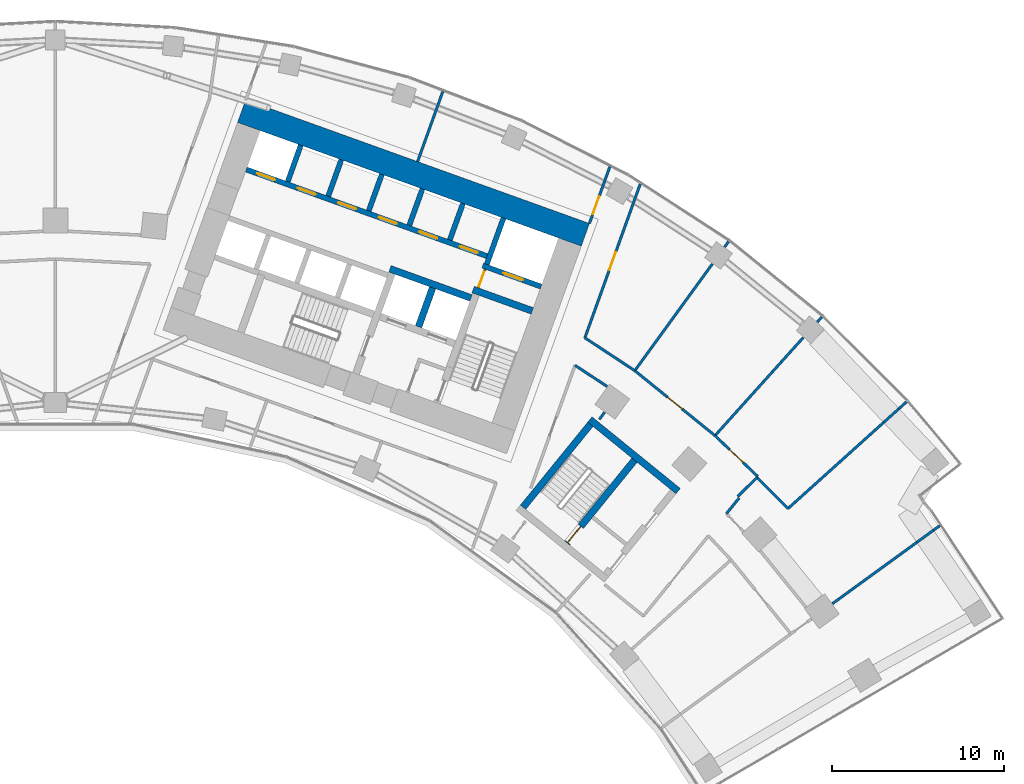
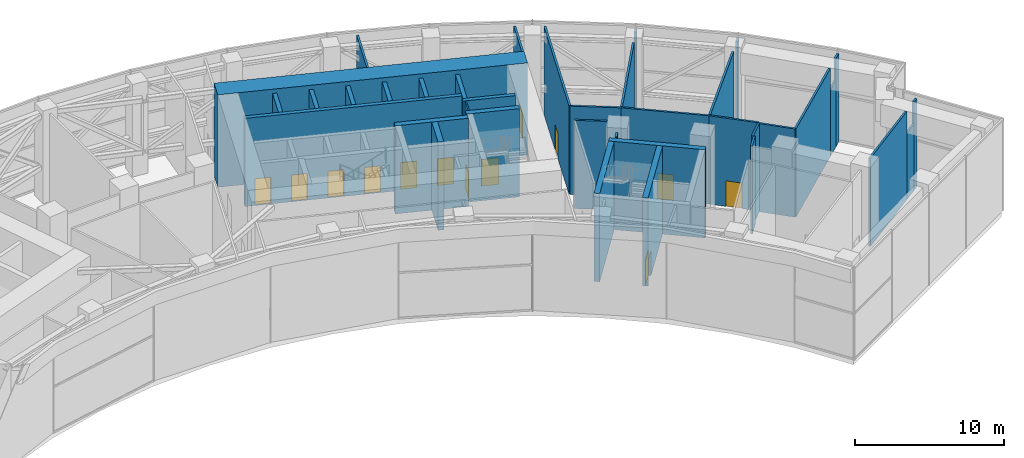
# One storey, part 26 of 30: 37 walls, 13 doors, 13 openings.
"""IFC4 building model written with IfcOpenShell, lengths in metres."""

from ifc_helpers import new_model, si_unit, direction, frame, frame_2d, origin, place, context, subcontext, project, spatial, rectangle, extrude, material, layer, layer_set, type_object, element, fill, save


model = new_model("IFC4")

# Units and contexts
model_context = context("Model", 3, precision=1e-05, world=origin(), true_north=direction((0.0, 1.0)))
body_context = subcontext(model_context, "Body", "Model", "MODEL_VIEW")
ifc_project = project(units=[si_unit("LENGTHUNIT", "METRE"), si_unit("AREAUNIT", "SQUARE_METRE"), si_unit("VOLUMEUNIT", "CUBIC_METRE"), si_unit("PLANEANGLEUNIT", "RADIAN"), si_unit("MASSUNIT", "GRAM", prefix="KILO")], contexts=[model_context])

# Site, building, storey
site_placement = place(None, origin())
site = spatial("IfcSite", under=ifc_project, at=site_placement, CompositionType="ELEMENT")
building_placement = place(site_placement, origin())
building = spatial("IfcBuilding", under=site, at=building_placement, Name="Stone Belt Terrace Tower", CompositionType="ELEMENT")
storey_placement = place(building_placement, frame((0.0, 0.0, 136.39990234375)))
storey = spatial("IfcBuildingStorey", under=building, at=storey_placement, Name="L33", CompositionType="ELEMENT", Elevation=136.39990234375)

# Wall, opening, door
ifc_material_1 = material(Name="Plasterboard partition")
ifc_layer_1 = layer(ifc_material_1, 0.10009765625)
ifc_layer_set_1 = layer_set([ifc_layer_1], Name="Core partition 100")
wall_type_1 = type_object("IfcWallType", Name="Core partition 100", PredefinedType="PARTITIONING", material=ifc_layer_set_1)
wall_1_placement = place(storey_placement, frame((24.555908203125, 51.10400390625, 0.0), z_axis=(0.0, 0.0, 1.0), x_axis=(0.338621735342, 0.94092258999, 0.0)))
wall_1 = element("IfcWall", 1, at=wall_1_placement, inside=storey, type_object=wall_type_1, Name="Core B wall", PredefinedType="PARTITIONING", context=body_context, shape_type="SweptSolid", body=[
    extrude(rectangle(XDim=1.14990234375, YDim=0.10009765625, at=frame_2d((0.574951171875, 0.0))), origin(), (0.0, 0.0, 1.0), 7.25),
])
opening_1_placement = place(wall_1_placement, frame((0.050048828125, 0.0, 0.0)))
opening_1 = element("IfcOpeningElement", 2, at=opening_1_placement, cuts=wall_1, Name="Opening L33-C09", PredefinedType="OPENING", context=body_context, shape_type="SweptSolid", body=[
    extrude(rectangle(XDim=1.0, YDim=2.10009765625, at=frame_2d((0.5, 1.050048828125))), frame((0.0, 0.06005859375, 0.0), z_axis=(0.0, -1.0, 0.0), x_axis=(1.0, 0.0, 0.0)), (0.0, 0.0, 1.0), 0.1201171875),
])
ifc_material_2 = material(Name="Timber door leaf", Category="wood")
door_type_1 = type_object("IfcDoorType", Name="Core room door 1000", OperationType="SINGLE_SWING_LEFT", PredefinedType="DOOR", material=ifc_material_2)
door_1_placement = place(opening_1_placement, origin())
door_1 = element("IfcDoor", 3, at=door_1_placement, inside=storey, type_object=door_type_1, Name="Service lift lobby door core B", OperationType="SINGLE_SWING_RIGHT", OverallHeight=2.10009765625, OverallWidth=1.0, PredefinedType="DOOR", context=body_context, shape_type="SweptSolid", body=[
    extrude(rectangle(XDim=1.0, YDim=2.10009765625, at=frame_2d((0.5, 1.050048828125))), frame((0.0, 0.02490234375, 0.0), z_axis=(0.0, -1.0, 0.0), x_axis=(1.0, 0.0, 0.0)), (0.0, 0.0, 1.0), 0.050048828125),
])
fill(opening_1, door_1)

# Walls
ifc_material_3 = material(Name="Concrete B80", Category="concrete")
ifc_layer_2 = layer(ifc_material_3, 1.39990234375)
ifc_layer_set_2 = layer_set([ifc_layer_2], Name="Core wall 1400 B80")
wall_type_2 = type_object("IfcWallType", Name="Core wall 1400 B80", PredefinedType="SHEAR", material=ifc_layer_set_2)
wall_2_placement = place(storey_placement, frame((10.81787109375, 61.362060546875, 0.0), z_axis=(0.0, 0.0, 1.0), x_axis=(0.940919704758, -0.338629752382, 0.0)))
element("IfcWall", 4, at=wall_2_placement, inside=storey, type_object=wall_type_2, Name="Core B wall convex L33", PredefinedType="SHEAR", context=body_context, shape_type="SweptSolid", body=[
    extrude(rectangle(XDim=21.199951171875, YDim=1.39990234375, at=frame_2d((10.60009765625, 0.0))), origin(), (0.0, 0.0, 1.0), 7.60009765625),
])
ifc_layer_3 = layer(ifc_material_3, 0.39990234375)
ifc_layer_set_3 = layer_set([ifc_layer_3], Name="Fire-fighting lift shaft wall 400")
wall_type_3 = type_object("IfcWallType", Name="Fire-fighting lift shaft wall 400", PredefinedType="SHEAR", material=ifc_layer_set_3)
wall_3_placement = place(storey_placement, frame((24.130615234375, 50.512939453125, 0.0), z_axis=(0.0, 0.0, 1.0), x_axis=(-0.94091168377, 0.338652038744, 0.0)))
element("IfcWall", 5, at=wall_3_placement, inside=storey, type_object=wall_type_3, Name="Core B wall", PredefinedType="SHEAR", context=body_context, shape_type="SweptSolid", body=[
    extrude(rectangle(XDim=5.000244140625, YDim=0.39990234375, at=frame_2d((2.5, 0.0))), origin(), (0.0, 0.0, 1.0), 7.25),
])
wall_4_placement = place(storey_placement, frame((21.0859375, 48.845458984375, 0.0), z_axis=(0.0, 0.0, 1.0), x_axis=(0.338629416206, 0.940919825745, 0.0)))
element("IfcWall", 6, at=wall_4_placement, inside=storey, type_object=wall_type_3, Name="Core B wall", PredefinedType="SHEAR", context=body_context, shape_type="SweptSolid", body=[
    extrude(rectangle(XDim=2.400146484375, YDim=0.39990234375, at=frame_2d((1.2001953125, 0.0))), origin(), (0.0, 0.0, 1.0), 7.25),
])

# Wall, opening, door
ifc_layer_4 = layer(ifc_material_3, 0.300048828125)
ifc_layer_set_4 = layer_set([ifc_layer_4], Name="Lift shaft wall 300")
wall_type_4 = type_object("IfcWallType", Name="Lift shaft wall 300", PredefinedType="SHEAR", material=ifc_layer_set_4)
wall_5_placement = place(storey_placement, frame((28.195068359375, 51.17578125, 0.0), z_axis=(0.0, 0.0, 1.0), x_axis=(-0.940901243567, 0.338681044427, 0.0)))
wall_5 = element("IfcWall", 7, at=wall_5_placement, inside=storey, type_object=wall_type_4, Name="Core B wall", PredefinedType="SHEAR", context=body_context, shape_type="SweptSolid", body=[
    extrude(rectangle(XDim=3.599853515625, YDim=0.300048828125, at=frame_2d((1.7998046875, 0.0))), origin(), (0.0, 0.0, 1.0), 7.25),
])
opening_2_placement = place(wall_5_placement, frame((1.1201171875, 0.0, 0.0)))
opening_2 = element("IfcOpeningElement", 8, at=opening_2_placement, cuts=wall_5, Name="Opening L33-LD18", PredefinedType="OPENING", context=body_context, shape_type="SweptSolid", body=[
    extrude(rectangle(XDim=1.199951171875, YDim=2.199951171875, at=frame_2d((0.60009765625, 1.10009765625))), frame((0.0, 0.159912109375, 0.0), z_axis=(0.0, -1.0, 0.0), x_axis=(1.0, 0.0, 0.0)), (0.0, 0.0, 1.0), 0.320068359375),
])
ifc_material_4 = material(Name="Stainless steel door leaf", Category="steel")
door_type_2 = type_object("IfcDoorType", Name="Landing door 1200", OperationType="SLIDING_TO_LEFT", PredefinedType="DOOR", material=ifc_material_4)
door_2_placement = place(opening_2_placement, origin())
door_2 = element("IfcDoor", 9, at=door_2_placement, inside=storey, type_object=door_type_2, Name="Landing door SV1 core B", OperationType="SLIDING_TO_LEFT", OverallHeight=2.199951171875, OverallWidth=1.199951171875, PredefinedType="DOOR", context=body_context, shape_type="SweptSolid", body=[
    extrude(rectangle(XDim=1.199951171875, YDim=2.199951171875, at=frame_2d((0.60009765625, 1.10009765625))), frame((0.0, 0.02490234375, 0.0), z_axis=(0.0, -1.0, 0.0), x_axis=(1.0, 0.0, 0.0)), (0.0, 0.0, 1.0), 0.050048828125),
])
fill(opening_2, door_2)

# Wall
wall_6_placement = place(storey_placement, frame((25.046875, 52.46826171875, 0.0), z_axis=(0.0, 0.0, 1.0), x_axis=(0.338549588058, 0.940948551423, 0.0)))
element("IfcWall", 10, at=wall_6_placement, inside=storey, type_object=wall_type_4, Name="Core B wall", PredefinedType="SHEAR", context=body_context, shape_type="SweptSolid", body=[
    extrude(rectangle(XDim=2.849853515625, YDim=0.300048828125, at=frame_2d((1.4248046875, 0.0))), origin(), (0.0, 0.0, 1.0), 7.25),
])

# Wall, openings, doors
wall_7_placement = place(storey_placement, frame((25.05810546875, 52.9423828125, 0.0), z_axis=(0.0, 0.0, 1.0), x_axis=(-0.940918215764, 0.338633889685, 0.0)))
wall_7 = element("IfcWall", 11, at=wall_7_placement, inside=storey, type_object=wall_type_4, Name="Core B wall", PredefinedType="SHEAR", context=body_context, shape_type="SweptSolid", body=[
    extrude(rectangle(XDim=14.850341796875, YDim=0.300048828125, at=frame_2d((7.42529296875, 0.0))), origin(), (0.0, 0.0, 1.0), 7.25),
])
opening_3_placement = place(wall_7_placement, frame((0.570068359375, 0.0, 0.0)))
opening_3 = element("IfcOpeningElement", 12, at=opening_3_placement, cuts=wall_7, Name="Opening L33-LD10", PredefinedType="OPENING", context=body_context, shape_type="SweptSolid", body=[
    extrude(rectangle(XDim=1.10009765625, YDim=2.199951171875, at=frame_2d((0.550048828125, 1.10009765625))), frame((0.0, 0.159912109375, 0.0), z_axis=(0.0, -1.0, 0.0), x_axis=(1.0, 0.0, 0.0)), (0.0, 0.0, 1.0), 0.320068359375),
])
opening_4_placement = place(wall_7_placement, frame((3.070068359375, 0.0, 0.0)))
opening_4 = element("IfcOpeningElement", 13, at=opening_4_placement, cuts=wall_7, Name="Opening L33-LD11", PredefinedType="OPENING", context=body_context, shape_type="SweptSolid", body=[
    extrude(rectangle(XDim=1.10009765625, YDim=2.199951171875, at=frame_2d((0.550048828125, 1.10009765625))), frame((0.0, 0.159912109375, 0.0), z_axis=(0.0, -1.0, 0.0), x_axis=(1.0, 0.0, 0.0)), (0.0, 0.0, 1.0), 0.320068359375),
])
opening_5_placement = place(wall_7_placement, frame((5.570068359375, 0.0, 0.0)))
opening_5 = element("IfcOpeningElement", 14, at=opening_5_placement, cuts=wall_7, Name="Opening L33-LD12", PredefinedType="OPENING", context=body_context, shape_type="SweptSolid", body=[
    extrude(rectangle(XDim=1.10009765625, YDim=2.199951171875, at=frame_2d((0.550048828125, 1.10009765625))), frame((0.0, 0.159912109375, 0.0), z_axis=(0.0, -1.0, 0.0), x_axis=(1.0, 0.0, 0.0)), (0.0, 0.0, 1.0), 0.320068359375),
])
opening_6_placement = place(wall_7_placement, frame((8.070068359375, 0.0, 0.0)))
opening_6 = element("IfcOpeningElement", 15, at=opening_6_placement, cuts=wall_7, Name="Opening L33-LD13", PredefinedType="OPENING", context=body_context, shape_type="SweptSolid", body=[
    extrude(rectangle(XDim=1.10009765625, YDim=2.199951171875, at=frame_2d((0.550048828125, 1.10009765625))), frame((0.0, 0.159912109375, 0.0), z_axis=(0.0, -1.0, 0.0), x_axis=(1.0, 0.0, 0.0)), (0.0, 0.0, 1.0), 0.320068359375),
])
opening_7_placement = place(wall_7_placement, frame((10.570068359375, 0.0, 0.0)))
opening_7 = element("IfcOpeningElement", 16, at=opening_7_placement, cuts=wall_7, Name="Opening L33-LD14", PredefinedType="OPENING", context=body_context, shape_type="SweptSolid", body=[
    extrude(rectangle(XDim=1.10009765625, YDim=2.199951171875, at=frame_2d((0.550048828125, 1.10009765625))), frame((0.0, 0.159912109375, 0.0), z_axis=(0.0, -1.0, 0.0), x_axis=(1.0, 0.0, 0.0)), (0.0, 0.0, 1.0), 0.320068359375),
])
opening_8_placement = place(wall_7_placement, frame((13.070068359375, 0.0, 0.0)))
opening_8 = element("IfcOpeningElement", 17, at=opening_8_placement, cuts=wall_7, Name="Opening L33-LD15", PredefinedType="OPENING", context=body_context, shape_type="SweptSolid", body=[
    extrude(rectangle(XDim=1.10009765625, YDim=2.199951171875, at=frame_2d((0.550048828125, 1.10009765625))), frame((0.0, 0.159912109375, 0.0), z_axis=(0.0, -1.0, 0.0), x_axis=(1.0, 0.0, 0.0)), (0.0, 0.0, 1.0), 0.320068359375),
])
door_type_3 = type_object("IfcDoorType", Name="Landing door 1100", OperationType="SLIDING_TO_LEFT", PredefinedType="DOOR", material=ifc_material_4)
door_3_placement = place(opening_3_placement, origin())
door_3 = element("IfcDoor", 18, at=door_3_placement, inside=storey, type_object=door_type_3, Name="Landing door LR1 core B", OperationType="SLIDING_TO_LEFT", OverallHeight=2.199951171875, OverallWidth=1.10009765625, PredefinedType="DOOR", context=body_context, shape_type="SweptSolid", body=[
    extrude(rectangle(XDim=1.10009765625, YDim=2.199951171875, at=frame_2d((0.550048828125, 1.10009765625))), frame((0.0, 0.02490234375, 0.0), z_axis=(0.0, -1.0, 0.0), x_axis=(1.0, 0.0, 0.0)), (0.0, 0.0, 1.0), 0.050048828125),
])
fill(opening_3, door_3)
door_4_placement = place(opening_4_placement, origin())
door_4 = element("IfcDoor", 19, at=door_4_placement, inside=storey, type_object=door_type_3, Name="Landing door LR2 core B", OperationType="SLIDING_TO_LEFT", OverallHeight=2.199951171875, OverallWidth=1.10009765625, PredefinedType="DOOR", context=body_context, shape_type="SweptSolid", body=[
    extrude(rectangle(XDim=1.10009765625, YDim=2.199951171875, at=frame_2d((0.550048828125, 1.10009765625))), frame((0.0, 0.02490234375, 0.0), z_axis=(0.0, -1.0, 0.0), x_axis=(1.0, 0.0, 0.0)), (0.0, 0.0, 1.0), 0.050048828125),
])
fill(opening_4, door_4)
door_5_placement = place(opening_5_placement, origin())
door_5 = element("IfcDoor", 20, at=door_5_placement, inside=storey, type_object=door_type_3, Name="Landing door LR3 core B", OperationType="SLIDING_TO_LEFT", OverallHeight=2.199951171875, OverallWidth=1.10009765625, PredefinedType="DOOR", context=body_context, shape_type="SweptSolid", body=[
    extrude(rectangle(XDim=1.10009765625, YDim=2.199951171875, at=frame_2d((0.550048828125, 1.10009765625))), frame((0.0, 0.02490234375, 0.0), z_axis=(0.0, -1.0, 0.0), x_axis=(1.0, 0.0, 0.0)), (0.0, 0.0, 1.0), 0.050048828125),
])
fill(opening_5, door_5)
door_6_placement = place(opening_6_placement, origin())
door_6 = element("IfcDoor", 21, at=door_6_placement, inside=storey, type_object=door_type_3, Name="Landing door LR4 core B", OperationType="SLIDING_TO_LEFT", OverallHeight=2.199951171875, OverallWidth=1.10009765625, PredefinedType="DOOR", context=body_context, shape_type="SweptSolid", body=[
    extrude(rectangle(XDim=1.10009765625, YDim=2.199951171875, at=frame_2d((0.550048828125, 1.10009765625))), frame((0.0, 0.02490234375, 0.0), z_axis=(0.0, -1.0, 0.0), x_axis=(1.0, 0.0, 0.0)), (0.0, 0.0, 1.0), 0.050048828125),
])
fill(opening_6, door_6)
door_7_placement = place(opening_7_placement, origin())
door_7 = element("IfcDoor", 22, at=door_7_placement, inside=storey, type_object=door_type_3, Name="Landing door LR5 core B", OperationType="SLIDING_TO_LEFT", OverallHeight=2.199951171875, OverallWidth=1.10009765625, PredefinedType="DOOR", context=body_context, shape_type="SweptSolid", body=[
    extrude(rectangle(XDim=1.10009765625, YDim=2.199951171875, at=frame_2d((0.550048828125, 1.10009765625))), frame((0.0, 0.02490234375, 0.0), z_axis=(0.0, -1.0, 0.0), x_axis=(1.0, 0.0, 0.0)), (0.0, 0.0, 1.0), 0.050048828125),
])
fill(opening_7, door_7)
door_8_placement = place(opening_8_placement, origin())
door_8 = element("IfcDoor", 23, at=door_8_placement, inside=storey, type_object=door_type_3, Name="Landing door LR6 core B", OperationType="SLIDING_TO_LEFT", OverallHeight=2.199951171875, OverallWidth=1.10009765625, PredefinedType="DOOR", context=body_context, shape_type="SweptSolid", body=[
    extrude(rectangle(XDim=1.10009765625, YDim=2.199951171875, at=frame_2d((0.550048828125, 1.10009765625))), frame((0.0, 0.02490234375, 0.0), z_axis=(0.0, -1.0, 0.0), x_axis=(1.0, 0.0, 0.0)), (0.0, 0.0, 1.0), 0.050048828125),
])
fill(opening_8, door_8)

# Walls
wall_8_placement = place(storey_placement, frame((22.897705078125, 53.87939453125, 0.0), z_axis=(0.0, 0.0, 1.0), x_axis=(0.338535034312, 0.940953787677, 0.0)))
element("IfcWall", 24, at=wall_8_placement, inside=storey, type_object=wall_type_4, Name="Core B wall", PredefinedType="SHEAR", context=body_context, shape_type="SweptSolid", body=[
    extrude(rectangle(XDim=2.25, YDim=0.300048828125, at=frame_2d((1.125, 0.0))), origin(), (0.0, 0.0, 1.0), 7.25),
])
wall_9_placement = place(storey_placement, frame((20.54541015625, 54.72607421875, 0.0), z_axis=(0.0, 0.0, 1.0), x_axis=(0.338569601369, 0.940941350472, 0.0)))
element("IfcWall", 25, at=wall_9_placement, inside=storey, type_object=wall_type_4, Name="Core B wall", PredefinedType="SHEAR", context=body_context, shape_type="SweptSolid", body=[
    extrude(rectangle(XDim=2.249755859375, YDim=0.300048828125, at=frame_2d((1.125, 0.0))), origin(), (0.0, 0.0, 1.0), 7.25),
])
wall_10_placement = place(storey_placement, frame((18.193115234375, 55.572509765625, 0.0), z_axis=(0.0, 0.0, 1.0), x_axis=(0.338535034312, 0.940953787677, 0.0)))
element("IfcWall", 26, at=wall_10_placement, inside=storey, type_object=wall_type_4, Name="Core B wall", PredefinedType="SHEAR", context=body_context, shape_type="SweptSolid", body=[
    extrude(rectangle(XDim=2.25, YDim=0.300048828125, at=frame_2d((1.125, 0.0))), origin(), (0.0, 0.0, 1.0), 7.25),
])
wall_11_placement = place(storey_placement, frame((15.8408203125, 56.419189453125, 0.0), z_axis=(0.0, 0.0, 1.0), x_axis=(0.338569601369, 0.940941350472, 0.0)))
element("IfcWall", 27, at=wall_11_placement, inside=storey, type_object=wall_type_4, Name="Core B wall", PredefinedType="SHEAR", context=body_context, shape_type="SweptSolid", body=[
    extrude(rectangle(XDim=2.249755859375, YDim=0.300048828125, at=frame_2d((1.125, 0.0))), origin(), (0.0, 0.0, 1.0), 7.25),
])
wall_12_placement = place(storey_placement, frame((13.48828125, 57.265625, 0.0), z_axis=(0.0, 0.0, 1.0), x_axis=(0.338631098537, 0.940919220286, 0.0)))
element("IfcWall", 28, at=wall_12_placement, inside=storey, type_object=wall_type_4, Name="Core B wall", PredefinedType="SHEAR", context=body_context, shape_type="SweptSolid", body=[
    extrude(rectangle(XDim=2.250244140625, YDim=0.300048828125, at=frame_2d((1.125, 0.0))), origin(), (0.0, 0.0, 1.0), 7.25),
])

# Wall, opening, door
ifc_material_5 = material(Name="Gypsum board partition")
ifc_layer_5 = layer(ifc_material_5, 0.14990234375)
ifc_layer_set_5 = layer_set([ifc_layer_5], Name="PARTITION 150 EI 60")
wall_type_5 = type_object("IfcWallType", Name="PARTITION 150 EI 60", PredefinedType="PARTITIONING", material=ifc_layer_set_5)
wall_13_placement = place(storey_placement, frame((31.001953125, 54.842041015625, 0.0), z_axis=(0.0, 0.0, 1.0), x_axis=(0.338662585219, 0.940907887826, 0.0)))
wall_13 = element("IfcWall", 29, at=wall_13_placement, inside=storey, type_object=wall_type_5, Name="L33/wall/i024", PredefinedType="PARTITIONING", context=body_context, shape_type="SweptSolid", body=[
    extrude(rectangle(XDim=3.49560546875, YDim=0.14990234375, at=frame_2d((1.747802734375, 0.0))), origin(), (0.0, 0.0, 1.0), 7.25),
])
opening_9_placement = place(wall_13_placement, frame((0.5693359375, 0.0, 0.0)))
opening_9 = element("IfcOpeningElement", 30, at=opening_9_placement, cuts=wall_13, Name="Opening D-T2-10", PredefinedType="OPENING", context=body_context, shape_type="SweptSolid", body=[
    extrude(rectangle(XDim=1.10009765625, YDim=2.10009765625, at=frame_2d((0.550048828125, 1.050048828125))), frame((0.0, 0.0849609375, 0.0), z_axis=(0.0, -1.0, 0.0), x_axis=(1.0, 0.0, 0.0)), (0.0, 0.0, 1.0), 0.169921875),
])
ifc_material_6 = material(Name="Steel fire door set", Category="steel")
door_type_4 = type_object("IfcDoorType", Name="SERVICE ROOM DOOR 1100 X 2100", OperationType="NOTDEFINED", PredefinedType="DOOR", material=ifc_material_6)
door_9_placement = place(opening_9_placement, origin())
door_9 = element("IfcDoor", 31, at=door_9_placement, inside=storey, type_object=door_type_4, Name="L33/door/i10", OperationType="SINGLE_SWING_LEFT", OverallHeight=2.10009765625, OverallWidth=1.10009765625, PredefinedType="DOOR", context=body_context, shape_type="SweptSolid", body=[
    extrude(rectangle(XDim=1.10009765625, YDim=2.10009765625, at=frame_2d((0.550048828125, 1.050048828125))), frame((0.0, 0.02490234375, 0.0), z_axis=(0.0, -1.0, 0.0), x_axis=(1.0, 0.0, 0.0)), (0.0, 0.0, 1.0), 0.050048828125),
])
fill(opening_9, door_9)

wall_14_placement = place(storey_placement, frame((33.951904296875, 57.131103515625, 0.0), z_axis=(0.0, 0.0, 1.0), x_axis=(-0.338586530295, -0.940935258933, 0.0)))
wall_14 = element("IfcWall", 32, at=wall_14_placement, inside=storey, type_object=wall_type_5, Name="L33/wall/i027", PredefinedType="PARTITIONING", context=body_context, shape_type="SweptSolid", body=[
    extrude(rectangle(XDim=9.494873046875, YDim=0.14990234375, at=frame_2d((4.74755859375, 0.0))), origin(), (0.0, 0.0, 1.0), 7.25),
])
opening_10_placement = place(wall_14_placement, frame((4.197509765625, 0.0, 0.0)))
opening_10 = element("IfcOpeningElement", 33, at=opening_10_placement, cuts=wall_14, Name="Opening D-T2-24", PredefinedType="OPENING", context=body_context, shape_type="SweptSolid", body=[
    extrude(rectangle(XDim=1.10009765625, YDim=2.10009765625, at=frame_2d((0.550048828125, 1.050048828125))), frame((0.0, 0.0849609375, 0.0), z_axis=(0.0, -1.0, 0.0), x_axis=(1.0, 0.0, 0.0)), (0.0, 0.0, 1.0), 0.169921875),
])
door_10_placement = place(opening_10_placement, origin())
door_10 = element("IfcDoor", 34, at=door_10_placement, inside=storey, type_object=door_type_4, Name="L33/door/i24", OperationType="SINGLE_SWING_LEFT", OverallHeight=2.10009765625, OverallWidth=1.10009765625, PredefinedType="DOOR", context=body_context, shape_type="SweptSolid", body=[
    extrude(rectangle(XDim=1.10009765625, YDim=2.10009765625, at=frame_2d((0.550048828125, 1.050048828125))), frame((0.0, 0.02490234375, 0.0), z_axis=(0.0, -1.0, 0.0), x_axis=(1.0, 0.0, 0.0)), (0.0, 0.0, 1.0), 0.050048828125),
])
fill(opening_10, door_10)

# Walls
wall_15_placement = place(storey_placement, frame((22.492919921875, 62.4990234375, 0.0), z_axis=(0.0, 0.0, 1.0), x_axis=(-0.338585491978, -0.94093563256, 0.0)))
element("IfcWall", 35, at=wall_15_placement, inside=storey, type_object=wall_type_5, Name="L33/wall/i033", PredefinedType="PARTITIONING", context=body_context, shape_type="SweptSolid", body=[
    extrude(rectangle(XDim=4.323486328125, YDim=0.14990234375, at=frame_2d((2.16162109375, 0.0))), origin(), (0.0, 0.0, 1.0), 7.25),
])
wall_16_placement = place(storey_placement, frame((45.106689453125, 32.77197265625, 0.0), z_axis=(0.0, 0.0, 1.0), x_axis=(0.809034343472, 0.587761372568, 0.0)))
element("IfcWall", 36, at=wall_16_placement, inside=storey, type_object=wall_type_5, Name="L33/wall/i057-1", PredefinedType="PARTITIONING", context=body_context, shape_type="SweptSolid", body=[
    extrude(rectangle(XDim=6.05078125, YDim=0.14990234375, at=frame_2d((3.025390625, 0.0))), origin(), (0.0, 0.0, 1.0), 7.25),
])
wall_17_placement = place(storey_placement, frame((50.001953125, 36.328369140625, 0.0), z_axis=(0.0, 0.0, 1.0), x_axis=(0.809051473046, 0.587737793546, 0.0)))
element("IfcWall", 37, at=wall_17_placement, inside=storey, type_object=wall_type_5, Name="L33/wall/i057-2", PredefinedType="PARTITIONING", context=body_context, shape_type="SweptSolid", body=[
    extrude(rectangle(XDim=1.20458984375, YDim=0.14990234375, at=frame_2d((0.602294921875, 0.0))), origin(), (0.0, 0.0, 1.0), 5.4501953125),
])
wall_18_placement = place(storey_placement, frame((50.9765625, 37.036376953125, 0.0), z_axis=(0.0, 0.0, 1.0), x_axis=(0.808688177101, 0.588237564439, 0.0)))
element("IfcWall", 38, at=wall_18_placement, inside=storey, type_object=wall_type_5, Name="L33/wall/i057-3", PredefinedType="PARTITIONING", context=body_context, shape_type="SweptSolid", body=[
    extrude(rectangle(XDim=0.440673828125, YDim=0.14990234375, at=frame_2d((0.22021484375, 0.0))), origin(), (0.0, 0.0, 1.0), 7.25),
])
wall_19_placement = place(storey_placement, frame((31.580078125, 43.466064453125, 0.0), z_axis=(0.0, 0.0, 1.0), x_axis=(0.587863319413, 0.808960269537, 0.0)))
element("IfcWall", 39, at=wall_19_placement, inside=storey, type_object=wall_type_5, Name="L33/wall/i058", PredefinedType="PARTITIONING", context=body_context, shape_type="SweptSolid", body=[
    extrude(rectangle(XDim=0.517822265625, YDim=0.14990234375, at=frame_2d((0.2587890625, 0.0))), origin(), (0.0, 0.0, 1.0), 7.25),
])
wall_20_placement = place(storey_placement, frame((32.034423828125, 45.376220703125, 0.0), z_axis=(0.0, 0.0, 1.0), x_axis=(-0.835442130402, 0.549578426386, 0.0)))
element("IfcWall", 40, at=wall_20_placement, inside=storey, type_object=wall_type_5, Name="L33/wall/i059", PredefinedType="PARTITIONING", context=body_context, shape_type="SweptSolid", body=[
    extrude(rectangle(XDim=2.237548828125, YDim=0.14990234375, at=frame_2d((1.11865234375, 0.0))), origin(), (0.0, 0.0, 1.0), 7.25),
])
wall_21_placement = place(storey_placement, frame((30.739013671875, 48.202880859375, 0.0), z_axis=(0.0, 0.0, 1.0), x_axis=(0.835274160171, -0.549833681535, 0.0)))
element("IfcWall", 41, at=wall_21_placement, inside=storey, type_object=wall_type_5, Name="L33/wall/i060", PredefinedType="PARTITIONING", context=body_context, shape_type="SweptSolid", body=[
    extrude(rectangle(XDim=3.46826171875, YDim=0.14990234375, at=frame_2d((1.734130859375, 0.0))), origin(), (0.0, 0.0, 1.0), 7.25),
])

# Wall, opening, door
wall_22_placement = place(storey_placement, frame((33.635986328125, 46.2958984375, 0.0), z_axis=(0.0, 0.0, 1.0), x_axis=(0.77714422733, -0.629322532513, 0.0)))
wall_22 = element("IfcWall", 42, at=wall_22_placement, inside=storey, type_object=wall_type_5, Name="L33/wall/i061", PredefinedType="PARTITIONING", context=body_context, shape_type="SweptSolid", body=[
    extrude(rectangle(XDim=5.98876953125, YDim=0.14990234375, at=frame_2d((2.994384765625, 0.0))), origin(), (0.0, 0.0, 1.0), 7.25),
])
opening_11_placement = place(wall_22_placement, frame((2.4443359375, 0.0, 0.0)))
opening_11 = element("IfcOpeningElement", 43, at=opening_11_placement, cuts=wall_22, Name="Opening D-T2-25", PredefinedType="OPENING", context=body_context, shape_type="SweptSolid", body=[
    extrude(rectangle(XDim=1.10009765625, YDim=2.10009765625, at=frame_2d((0.550048828125, 1.050048828125))), frame((0.0, 0.0849609375, 0.0), z_axis=(0.0, -1.0, 0.0), x_axis=(1.0, 0.0, 0.0)), (0.0, 0.0, 1.0), 0.169921875),
])
door_11_placement = place(opening_11_placement, origin())
door_11 = element("IfcDoor", 44, at=door_11_placement, inside=storey, type_object=door_type_4, Name="L33/door/i25", OperationType="SINGLE_SWING_LEFT", OverallHeight=2.10009765625, OverallWidth=1.10009765625, PredefinedType="DOOR", context=body_context, shape_type="SweptSolid", body=[
    extrude(rectangle(XDim=1.10009765625, YDim=2.10009765625, at=frame_2d((0.550048828125, 1.050048828125))), frame((0.0, 0.02490234375, 0.0), z_axis=(0.0, -1.0, 0.0), x_axis=(1.0, 0.0, 0.0)), (0.0, 0.0, 1.0), 0.050048828125),
])
fill(opening_11, door_11)

wall_23_placement = place(storey_placement, frame((38.291015625, 42.52587890625, 0.0), z_axis=(0.0, 0.0, 1.0), x_axis=(0.722780468826, -0.691077704664, 0.0)))
wall_23 = element("IfcWall", 45, at=wall_23_placement, inside=storey, type_object=wall_type_5, Name="L33/wall/i062", PredefinedType="PARTITIONING", context=body_context, shape_type="SweptSolid", body=[
    extrude(rectangle(XDim=3.4423828125, YDim=0.14990234375, at=frame_2d((1.72119140625, 0.0))), origin(), (0.0, 0.0, 1.0), 7.25),
])
opening_12_placement = place(wall_23_placement, frame((1.171142578125, 0.0, 0.0)))
opening_12 = element("IfcOpeningElement", 46, at=opening_12_placement, cuts=wall_23, Name="Opening D-T2-26", PredefinedType="OPENING", context=body_context, shape_type="SweptSolid", body=[
    extrude(rectangle(XDim=1.10009765625, YDim=2.10009765625, at=frame_2d((0.550048828125, 1.050048828125))), frame((0.0, 0.0849609375, 0.0), z_axis=(0.0, -1.0, 0.0), x_axis=(1.0, 0.0, 0.0)), (0.0, 0.0, 1.0), 0.169921875),
])
door_12_placement = place(opening_12_placement, origin())
door_12 = element("IfcDoor", 47, at=door_12_placement, inside=storey, type_object=door_type_4, Name="L33/door/i26", OperationType="SINGLE_SWING_RIGHT", OverallHeight=2.10009765625, OverallWidth=1.10009765625, PredefinedType="DOOR", context=body_context, shape_type="SweptSolid", body=[
    extrude(rectangle(XDim=1.10009765625, YDim=2.10009765625, at=frame_2d((0.550048828125, 1.050048828125))), frame((0.0, 0.02490234375, 0.0), z_axis=(0.0, -1.0, 0.0), x_axis=(1.0, 0.0, 0.0)), (0.0, 0.0, 1.0), 0.050048828125),
])
fill(opening_12, door_12)

# Walls
wall_24_placement = place(storey_placement, frame((40.72802734375, 40.096923828125, 0.0), z_axis=(0.0, 0.0, 1.0), x_axis=(-0.712511967549, -0.7016599576, 0.0)))
element("IfcWall", 48, at=wall_24_placement, inside=storey, type_object=wall_type_5, Name="L33/wall/i063", PredefinedType="PARTITIONING", context=body_context, shape_type="SweptSolid", body=[
    extrude(rectangle(XDim=1.57470703125, YDim=0.14990234375, at=frame_2d((0.787353515625, 0.0))), origin(), (0.0, 0.0, 1.0), 7.25),
])
wall_25_placement = place(storey_placement, frame((39.695068359375, 38.908935546875, 0.0), z_axis=(0.0, 0.0, 1.0), x_axis=(-0.630443636726, -0.776235029428, 0.0)))
element("IfcWall", 49, at=wall_25_placement, inside=storey, type_object=wall_type_5, Name="L33/wall/i070", PredefinedType="PARTITIONING", context=body_context, shape_type="SweptSolid", body=[
    extrude(rectangle(XDim=1.172119140625, YDim=0.14990234375, at=frame_2d((0.5859375, 0.0))), origin(), (0.0, 0.0, 1.0), 7.25),
])
wall_26_placement = place(storey_placement, frame((39.087890625, 53.7998046875, 0.0), z_axis=(0.0, 0.0, 1.0), x_axis=(-0.588207421816, -0.808710101904, 0.0)))
element("IfcWall", 50, at=wall_26_placement, inside=storey, type_object=wall_type_5, Name="L33/wall/i073", PredefinedType="PARTITIONING", context=body_context, shape_type="SweptSolid", body=[
    extrude(rectangle(XDim=0.40625, YDim=0.14990234375, at=frame_2d((0.203125, 0.0))), origin(), (0.0, 0.0, 1.0), 7.25),
])
wall_27_placement = place(storey_placement, frame((38.1376953125, 52.4921875, 0.0), z_axis=(0.0, 0.0, 1.0), x_axis=(-0.587771704289, -0.809026837402, 0.0)))
element("IfcWall", 51, at=wall_27_placement, inside=storey, type_object=wall_type_5, Name="L33/wall/i074", PredefinedType="PARTITIONING", context=body_context, shape_type="SweptSolid", body=[
    extrude(rectangle(XDim=7.658935546875, YDim=0.14990234375, at=frame_2d((3.82958984375, 0.0))), origin(), (0.0, 0.0, 1.0), 7.25),
])
wall_28_placement = place(storey_placement, frame((44.496826171875, 49.41943359375, 0.0), z_axis=(0.0, 0.0, 1.0), x_axis=(-0.668865119487, -0.74338378509, 0.0)))
element("IfcWall", 52, at=wall_28_placement, inside=storey, type_object=wall_type_5, Name="L33/wall/i075", PredefinedType="PARTITIONING", context=body_context, shape_type="SweptSolid", body=[
    extrude(rectangle(XDim=0.40625, YDim=0.14990234375, at=frame_2d((0.203125, 0.0))), origin(), (0.0, 0.0, 1.0), 7.25),
])
wall_29_placement = place(storey_placement, frame((43.41552734375, 48.21826171875, 0.0), z_axis=(0.0, 0.0, 1.0), x_axis=(-0.669063345565, -0.743205381857, 0.0)))
element("IfcWall", 53, at=wall_29_placement, inside=storey, type_object=wall_type_5, Name="L33/wall/i076", PredefinedType="PARTITIONING", context=body_context, shape_type="SweptSolid", body=[
    extrude(rectangle(XDim=7.6591796875, YDim=0.14990234375, at=frame_2d((3.82958984375, 0.0))), origin(), (0.0, 0.0, 1.0), 7.25),
])
wall_30_placement = place(storey_placement, frame((49.41943359375, 44.496826171875, 0.0), z_axis=(0.0, 0.0, 1.0), x_axis=(-0.74319344472, -0.669076605274, 0.0)))
element("IfcWall", 54, at=wall_30_placement, inside=storey, type_object=wall_type_5, Name="L33/wall/i077-1", PredefinedType="PARTITIONING", context=body_context, shape_type="SweptSolid", body=[
    extrude(rectangle(XDim=0.602783203125, YDim=0.14990234375, at=frame_2d((0.30126953125, 0.0))), origin(), (0.0, 0.0, 1.0), 7.25),
])
wall_31_placement = place(storey_placement, frame((48.971435546875, 44.093505859375, 0.0), z_axis=(0.0, 0.0, 1.0), x_axis=(-0.743243725486, -0.669020750445, 0.0)))
element("IfcWall", 55, at=wall_31_placement, inside=storey, type_object=wall_type_5, Name="L33/wall/i077-2", PredefinedType="PARTITIONING", context=body_context, shape_type="SweptSolid", body=[
    extrude(rectangle(XDim=1.203857421875, YDim=0.14990234375, at=frame_2d((0.60205078125, 0.0))), origin(), (0.0, 0.0, 1.0), 5.4501953125),
])
wall_32_placement = place(storey_placement, frame((48.07666015625, 43.2880859375, 0.0), z_axis=(0.0, 0.0, 1.0), x_axis=(-0.743203117566, -0.669065860764, 0.0)))
element("IfcWall", 56, at=wall_32_placement, inside=storey, type_object=wall_type_5, Name="L33/wall/i077-3", PredefinedType="PARTITIONING", context=body_context, shape_type="SweptSolid", body=[
    extrude(rectangle(XDim=7.46875, YDim=0.14990234375, at=frame_2d((3.734375, 0.0))), origin(), (0.0, 0.0, 1.0), 7.25),
])
wall_33_placement = place(storey_placement, frame((42.52587890625, 38.291015625, 0.0), z_axis=(0.0, 0.0, 1.0), x_axis=(-0.707058875846, 0.707154683282, 0.0)))
element("IfcWall", 57, at=wall_33_placement, inside=storey, type_object=wall_type_5, Name="L33/wall/i078", PredefinedType="PARTITIONING", context=body_context, shape_type="SweptSolid", body=[
    extrude(rectangle(XDim=2.54833984375, YDim=0.14990234375, at=frame_2d((1.274169921875, 0.0))), origin(), (0.0, 0.0, 1.0), 7.25),
])
ifc_layer_6 = layer(ifc_material_3, 0.39990234375)
ifc_layer_set_6 = layer_set([ifc_layer_6], Name="Stair enclosure wall 400")
wall_type_6 = type_object("IfcWallType", Name="Stair enclosure wall 400", PredefinedType="SHEAR", material=ifc_layer_set_6)
wall_34_placement = place(storey_placement, frame((27.687255859375, 49.764404296875, 0.0), z_axis=(0.0, 0.0, 1.0), x_axis=(-0.940918954884, 0.338631835981, 0.0)))
element("IfcWall", 58, at=wall_34_placement, inside=storey, type_object=wall_type_6, Name="Core B wall", PredefinedType="SHEAR", context=body_context, shape_type="SweptSolid", body=[
    extrude(rectangle(XDim=3.650146484375, YDim=0.39990234375, at=frame_2d((1.8251953125, 0.0))), origin(), (0.0, 0.0, 1.0), 7.25),
])
wall_35_placement = place(storey_placement, frame((31.02783203125, 43.46337890625, 0.0), z_axis=(0.0, 0.0, 1.0), x_axis=(0.776413760801, -0.630223509589, 0.0)))
element("IfcWall", 59, at=wall_35_placement, inside=storey, type_object=wall_type_6, Name="Exit stair ST3B wall", PredefinedType="SHEAR", context=body_context, shape_type="SweptSolid", body=[
    extrude(rectangle(XDim=6.599853515625, YDim=0.39990234375, at=frame_2d((3.2998046875, 0.0))), origin(), (0.0, 0.0, 1.0), 7.25),
])
wall_36_placement = place(storey_placement, frame((27.149658203125, 38.3681640625, 0.0), z_axis=(0.0, 0.0, 1.0), x_axis=(0.630211551729, 0.776423466973, 0.0)))
element("IfcWall", 60, at=wall_36_placement, inside=storey, type_object=wall_type_6, Name="Exit stair ST3B wall", PredefinedType="SHEAR", context=body_context, shape_type="SweptSolid", body=[
    extrude(rectangle(XDim=6.199951171875, YDim=0.39990234375, at=frame_2d((3.10009765625, 0.0))), origin(), (0.0, 0.0, 1.0), 7.25),
])

# Wall, opening, door
wall_37_placement = place(storey_placement, frame((29.7119140625, 36.288330078125, 0.0), z_axis=(0.0, 0.0, 1.0), x_axis=(0.630192283849, 0.776439106033, 0.0)))
wall_37 = element("IfcWall", 61, at=wall_37_placement, inside=storey, type_object=wall_type_6, Name="Exit stair ST3B wall", PredefinedType="SHEAR", context=body_context, shape_type="SweptSolid", body=[
    extrude(rectangle(XDim=6.199951171875, YDim=0.39990234375, at=frame_2d((3.10009765625, 0.0))), origin(), (0.0, 0.0, 1.0), 7.25),
])
opening_13_placement = place(wall_37_placement, frame((0.050048828125, 0.0, 0.0)))
opening_13 = element("IfcOpeningElement", 62, at=opening_13_placement, cuts=wall_37, Name="Opening L33-C20", PredefinedType="OPENING", context=body_context, shape_type="SweptSolid", body=[
    extrude(rectangle(XDim=1.199951171875, YDim=2.10009765625, at=frame_2d((0.60009765625, 1.050048828125))), frame((0.0, 0.2099609375, 0.0), z_axis=(0.0, -1.0, 0.0), x_axis=(1.0, 0.0, 0.0)), (0.0, 0.0, 1.0), 0.419921875),
])
ifc_material_7 = material(Name="Steel door leaf", Category="steel")
door_type_5 = type_object("IfcDoorType", Name="Stair door 1200", OperationType="SINGLE_SWING_LEFT", PredefinedType="DOOR", material=ifc_material_7)
door_13_placement = place(opening_13_placement, origin())
door_13 = element("IfcDoor", 63, at=door_13_placement, inside=storey, type_object=door_type_5, Name="Stair door ST3B", OperationType="SINGLE_SWING_RIGHT", OverallHeight=2.10009765625, OverallWidth=1.199951171875, PredefinedType="DOOR", context=body_context, shape_type="SweptSolid", body=[
    extrude(rectangle(XDim=1.199951171875, YDim=2.10009765625, at=frame_2d((0.60009765625, 1.050048828125))), frame((0.0, 0.02490234375, 0.0), z_axis=(0.0, -1.0, 0.0), x_axis=(1.0, 0.0, 0.0)), (0.0, 0.0, 1.0), 0.050048828125),
])
fill(opening_13, door_13)

save(model, "model.ifc")
